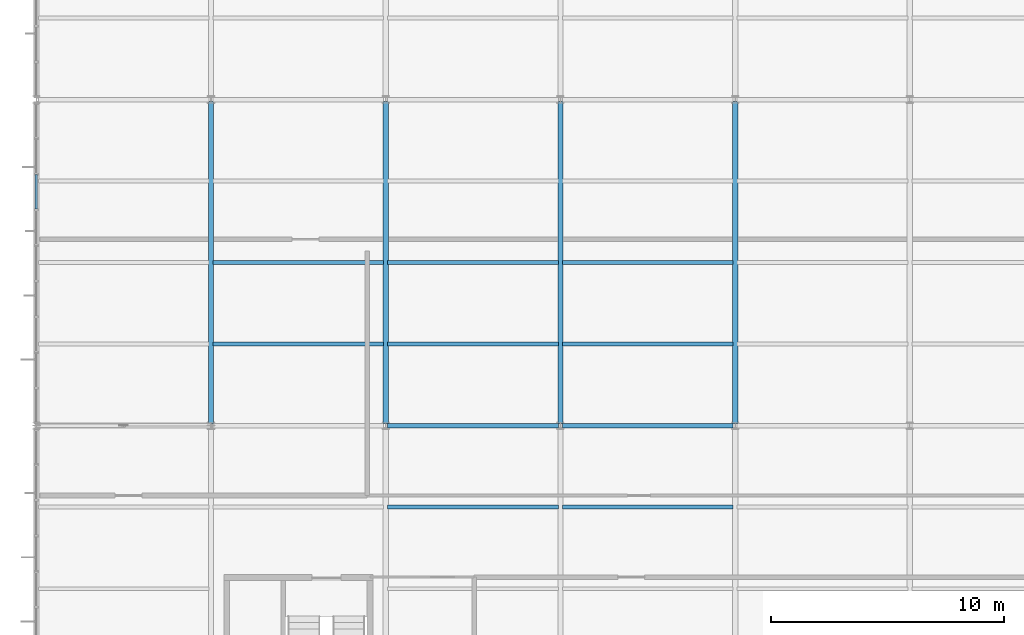
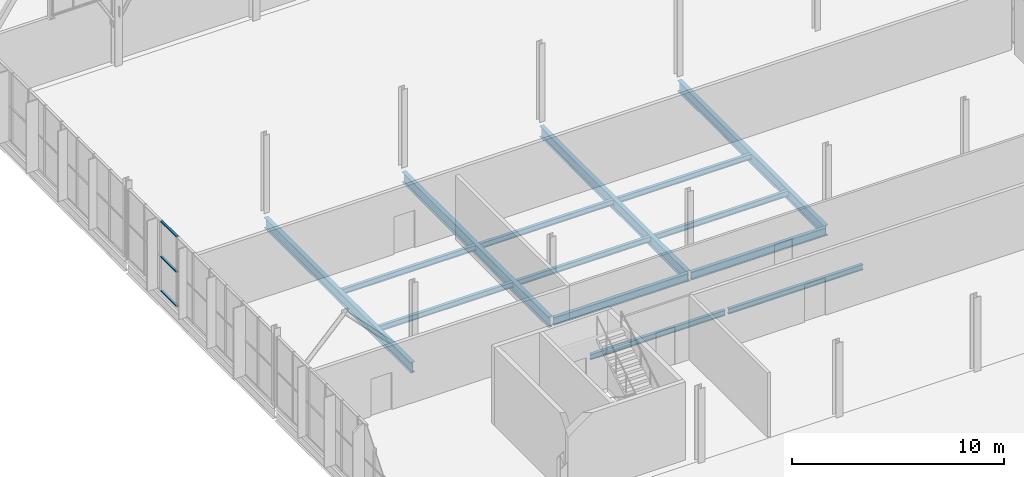
# One storey, part 39 of 324: 14 beams, 3 members, 1 element without a shape of its own.
"""IFC4 building model written with IfcOpenShell, lengths in metres."""

from ifc_helpers import new_model, si_unit, direction, frame, origin, origin_2d, place, context, subcontext, project, spatial, hollow_rectangle, i_section, extrude, material, layer, layer_set, material_profile, profile_set, type_object, element, aggregate, save


model = new_model("IFC4")

# Units and contexts
model_context = context("Model", 3, precision=1e-05, world=origin(), true_north=direction((0.0, 1.0)))
body_context = subcontext(model_context, "Body", "Model", "MODEL_VIEW")
ifc_project = project(units=[si_unit("LENGTHUNIT", "METRE"), si_unit("AREAUNIT", "SQUARE_METRE"), si_unit("VOLUMEUNIT", "CUBIC_METRE"), si_unit("PLANEANGLEUNIT", "RADIAN"), si_unit("MASSUNIT", "GRAM", prefix="KILO")], contexts=[model_context])

# Site, building, storey
site_placement = place(None, origin())
site = spatial("IfcSite", under=ifc_project, at=site_placement, CompositionType="ELEMENT")
building_placement = place(site_placement, origin())
building = spatial("IfcBuilding", under=site, at=building_placement, Name="Solvenia Promenade Tram Depot", CompositionType="ELEMENT")
storey_placement = place(building_placement, frame((0.0, 0.0, 4.5)))
storey = spatial("IfcBuildingStorey", under=building, at=storey_placement, Name="L01", CompositionType="ELEMENT", Elevation=4.5)

# Beams
ifc_material_1 = material(Name="Structural steel ASTM A992 Gr. 50", Category="steel")
ifc_material_profile_1 = material_profile(ifc_material_1, i_section(OverallWidth=0.19091796875, OverallDepth=0.4599609375, WebThickness=0.010009765625, FlangeThickness=0.01611328125, FilletRadius=0.012939453125, at=origin_2d()), Name="W460x82", Category="steel")
ifc_profile_set_1 = profile_set([ifc_material_profile_1], Name="Structural steel ASTM A992 Gr. 50")
beam_type_1 = type_object("IfcBeamType", Name="Beam-W460x82", PredefinedType="BEAM", material=ifc_profile_set_1)
for number, where, z_axis, x_axis, name in (
    (1, (15.0849609375, 38.0, -0.469970703125), (1.0, 0.0, 0.0), (0.0, 1.0, 0.0), "Primary Girder BM-L01-0219"),
    (2, (22.5849609375, 38.0, -0.469970703125), (1.0, 0.0, 0.0), (0.0, 1.0, 0.0), "Primary Girder BM-L01-0220"),
):
    element("IfcBeam", number, at=place(storey_placement, frame(where, z_axis=z_axis, x_axis=x_axis)), inside=storey, type_object=beam_type_1, Name=name, PredefinedType="BEAM", context=body_context, shape_type="SweptSolid", body=[
        extrude(i_section(OverallWidth=0.19091796875, OverallDepth=0.4599609375, WebThickness=0.010009765625, FlangeThickness=0.01611328125, FilletRadius=0.012939453125, at=origin_2d()), origin(), (0.0, 0.0, 1.0), 7.330078125),
    ])

# Curtain wall, members
ifc_material_2 = material(Name="Anodized aluminium AW-6063 T6", Category="aluminium")
ifc_layer = layer(ifc_material_2, 0.1201171875, Name="Anodized aluminium AW-6063 T6", Category="aluminium")
ifc_layer_set = layer_set([ifc_layer], Name="Anodized aluminium AW-6063 T6")
curtain_wall_type = type_object("IfcCurtainWallType", Name="CW-Wash-1500", PredefinedType="NOTDEFINED", material=ifc_layer_set)
curtain_wall_placement = place(storey_placement, origin())
curtain_wall = element("IfcCurtainWall", 3, at=curtain_wall_placement, inside=storey, type_object=curtain_wall_type, Name="Curtain Wall CW-V3-W-L1-2", PredefinedType="NOTDEFINED")
ifc_material_profile_2 = material_profile(ifc_material_2, hollow_rectangle(XDim=0.1201171875, YDim=0.06005859375, WallThickness=0.00390625, at=origin_2d()), Name="ALU-T1", Category="aluminium")
ifc_profile_set_2 = profile_set([ifc_material_profile_2], Name="Anodized aluminium AW-6063 T6")
member_type = type_object("IfcMemberType", Name="CWT-Transom-1", PredefinedType="USERDEFINED", material=ifc_profile_set_2)
member_1_placement = place(storey_placement, frame((0.0, 47.292724609375, 0.030029296875), z_axis=(0.0, 1.0, 0.0), x_axis=(-1.0, 0.0, 0.0)))
member_1 = element("IfcMember", 4, at=member_1_placement, type_object=member_type, Name="CW-10 transom 7.1", ObjectType="TRANSOM", PredefinedType="USERDEFINED", context=body_context, shape_type="SweptSolid", body=[
    extrude(hollow_rectangle(XDim=0.1201171875, YDim=0.06005859375, WallThickness=0.00390625, at=origin_2d()), origin(), (0.0, 0.0, 1.0), 1.47900390625),
])
member_2_placement = place(storey_placement, frame((0.0, 47.292724609375, 2.0), z_axis=(0.0, 1.0, 0.0), x_axis=(-1.0, 0.0, 0.0)))
member_2 = element("IfcMember", 5, at=member_2_placement, type_object=member_type, Name="CW-10 transom 7.2", ObjectType="TRANSOM", PredefinedType="USERDEFINED", context=body_context, shape_type="SweptSolid", body=[
    extrude(hollow_rectangle(XDim=0.1201171875, YDim=0.06005859375, WallThickness=0.00390625, at=origin_2d()), origin(), (0.0, 0.0, 1.0), 1.47900390625),
])
member_3_placement = place(storey_placement, frame((0.0, 47.292724609375, 4.02001953125), z_axis=(0.0, 1.0, 0.0), x_axis=(-1.0, 0.0, 0.0)))
member_3 = element("IfcMember", 6, at=member_3_placement, type_object=member_type, Name="CW-10 transom 7.3", ObjectType="TRANSOM", PredefinedType="USERDEFINED", context=body_context, shape_type="SweptSolid", body=[
    extrude(hollow_rectangle(XDim=0.1201171875, YDim=0.06005859375, WallThickness=0.00390625, at=origin_2d()), origin(), (0.0, 0.0, 1.0), 1.47900390625),
])
aggregate(curtain_wall, [member_1, member_2, member_3])

# Beams
ifc_material_profile_3 = material_profile(ifc_material_1, i_section(OverallWidth=0.22900390625, OverallDepth=0.612060546875, WebThickness=0.011962890625, FlangeThickness=0.01953125, FilletRadius=0.014892578125, at=origin_2d()), Name="W610x125", Category="steel")
ifc_profile_set_3 = profile_set([ifc_material_profile_3], Name="Structural steel ASTM A992 Gr. 50")
beam_type_2 = type_object("IfcBeamType", Name="Gird-W610x125", PredefinedType="BEAM", material=ifc_profile_set_3)
for number, where, z_axis, x_axis, name in (
    (7, (7.5, 38.0849609375, -0.5458984375), (0.0, 1.0, 0.0), (-1.0, 0.0, 0.0), "Transverse Girder BM-L01-0233"),
    (8, (15.0, 38.0849609375, -0.5458984375), (0.0, 1.0, 0.0), (-1.0, 0.0, 0.0), "Transverse Girder BM-L01-0236"),
    (9, (22.5, 38.0849609375, -0.5458984375), (0.0, 1.0, 0.0), (-1.0, 0.0, 0.0), "Transverse Girder BM-L01-0239"),
    (10, (30.0, 38.0849609375, -0.5458984375), (0.0, 1.0, 0.0), (-1.0, 0.0, 0.0), "Transverse Girder BM-L01-0242"),
):
    element("IfcBeam", number, at=place(storey_placement, frame(where, z_axis=z_axis, x_axis=x_axis)), inside=storey, type_object=beam_type_2, Name=name, PredefinedType="BEAM", context=body_context, shape_type="SweptSolid", body=[
        extrude(i_section(OverallWidth=0.22900390625, OverallDepth=0.612060546875, WebThickness=0.011962890625, FlangeThickness=0.01953125, FilletRadius=0.014892578125, at=origin_2d()), origin(), (0.0, 0.0, 1.0), 13.830078125),
    ])
ifc_material_profile_4 = material_profile(ifc_material_1, i_section(OverallWidth=0.166015625, OverallDepth=0.31298828125, WebThickness=0.006591796875, FlangeThickness=0.01123046875, FilletRadius=0.010009765625, at=origin_2d()), Name="W310x45", Category="steel")
ifc_profile_set_4 = profile_set([ifc_material_profile_4], Name="Structural steel ASTM A992 Gr. 50")
beam_type_3 = type_object("IfcBeamType", Name="Joist-W310x45", PredefinedType="JOIST", material=ifc_profile_set_4)
for number, where, z_axis, x_axis, name in (
    (11, (7.5849609375, 41.5, -0.396484375), (1.0, 0.0, 0.0), (0.0, 1.0, 0.0), "Secondary Floor Joist BM-L01-0260"),
    (12, (7.5849609375, 45.0, -0.396484375), (1.0, 0.0, 0.0), (0.0, 1.0, 0.0), "Secondary Floor Joist BM-L01-0261"),
    (13, (15.0849609375, 34.5, -0.396484375), (1.0, 0.0, 0.0), (0.0, 1.0, 0.0), "Secondary Floor Joist BM-L01-0268"),
    (14, (15.0849609375, 41.5, -0.396484375), (1.0, 0.0, 0.0), (0.0, 1.0, 0.0), "Secondary Floor Joist BM-L01-0269"),
    (15, (15.0849609375, 45.0, -0.396484375), (1.0, 0.0, 0.0), (0.0, 1.0, 0.0), "Secondary Floor Joist BM-L01-0270"),
    (16, (22.5849609375, 34.5, -0.396484375), (1.0, 0.0, 0.0), (0.0, 1.0, 0.0), "Secondary Floor Joist BM-L01-0277"),
    (17, (22.5849609375, 41.5, -0.396484375), (1.0, 0.0, 0.0), (0.0, 1.0, 0.0), "Secondary Floor Joist BM-L01-0278"),
    (18, (22.5849609375, 45.0, -0.396484375), (1.0, 0.0, 0.0), (0.0, 1.0, 0.0), "Secondary Floor Joist BM-L01-0279"),
):
    element("IfcBeam", number, at=place(storey_placement, frame(where, z_axis=z_axis, x_axis=x_axis)), inside=storey, type_object=beam_type_3, Name=name, PredefinedType="JOIST", context=body_context, shape_type="SweptSolid", body=[
        extrude(i_section(OverallWidth=0.166015625, OverallDepth=0.31298828125, WebThickness=0.006591796875, FlangeThickness=0.01123046875, FilletRadius=0.010009765625, at=origin_2d()), origin(), (0.0, 0.0, 1.0), 7.330078125),
    ])

save(model, "model.ifc")
